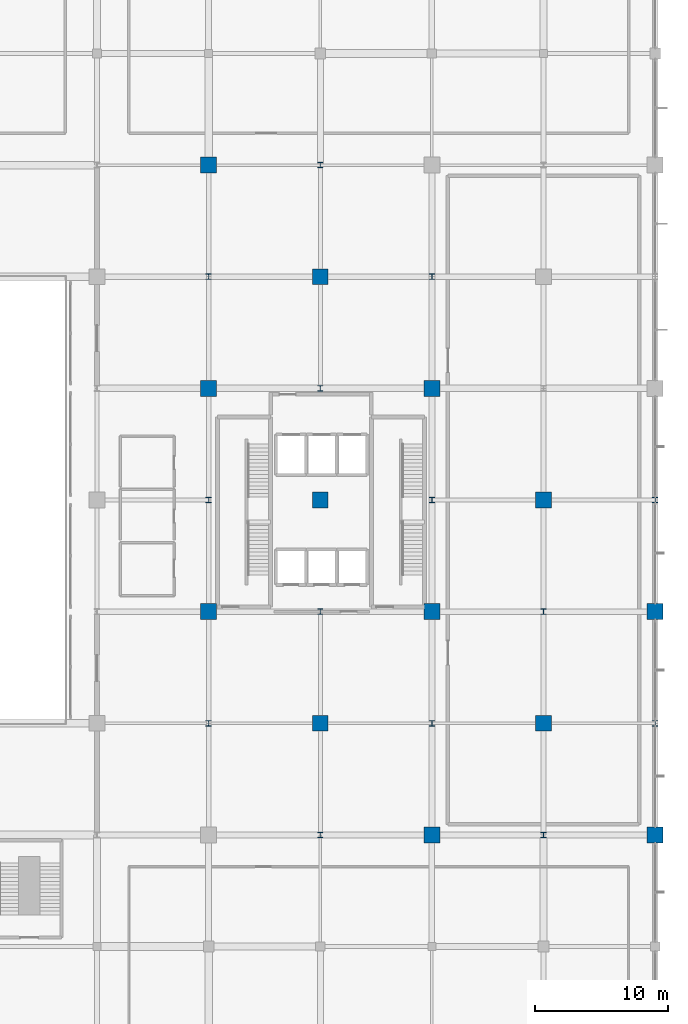
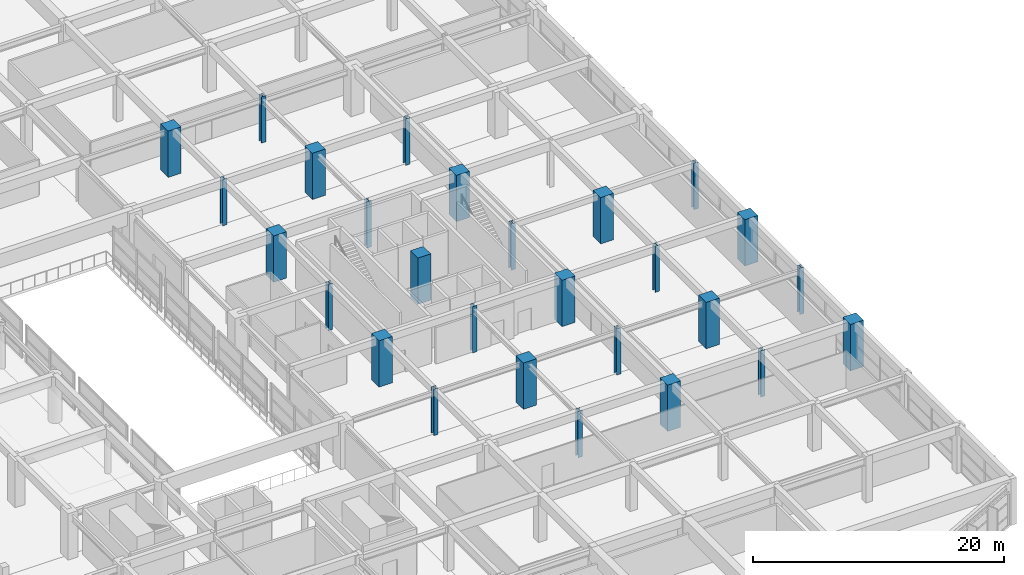
# One storey, part 6 of 65: 27 columns.
"""IFC4 building model written with IfcOpenShell, lengths in metres."""

from ifc_helpers import new_model, si_unit, direction, frame, origin, origin_2d, place, context, subcontext, project, spatial, rectangle, i_section, extrude, material, material_profile, profile_set, type_object, element, save


model = new_model("IFC4")

# Units and contexts
model_context = context("Model", 3, precision=1e-05, world=origin(), true_north=direction((0.0, 1.0)))
body_context = subcontext(model_context, "Body", "Model", "MODEL_VIEW")
ifc_project = project(units=[si_unit("LENGTHUNIT", "METRE"), si_unit("AREAUNIT", "SQUARE_METRE"), si_unit("VOLUMEUNIT", "CUBIC_METRE"), si_unit("PLANEANGLEUNIT", "RADIAN"), si_unit("MASSUNIT", "GRAM", prefix="KILO")], contexts=[model_context])

# Site, building, storey
site_placement = place(None, origin())
site = spatial("IfcSite", under=ifc_project, at=site_placement, CompositionType="ELEMENT")
building_placement = place(site_placement, origin())
building = spatial("IfcBuilding", under=site, at=building_placement, Name="Xuanlan Plaza Opera House", CompositionType="ELEMENT")
storey_placement = place(building_placement, frame((0.0, 0.0, 5.39990234375)))
storey = spatial("IfcBuildingStorey", under=building, at=storey_placement, Name="L01", CompositionType="ELEMENT", Elevation=5.39990234375)

# Columns
ifc_material_1 = material(Name="Concrete C60", Category="concrete")
ifc_material_profile_1 = material_profile(ifc_material_1, rectangle(XDim=1.199951171875, YDim=1.199951171875, at=origin_2d()), Name="RC-COL 1200x1200")
ifc_profile_set_1 = profile_set([ifc_material_profile_1], Name="Concrete C60")
column_type_1 = type_object("IfcColumnType", Name="STR-COL-C-02", PredefinedType="COLUMN", material=ifc_profile_set_1)
for number, where, z_axis, x_axis, name in (
    (1, (134.39990234375, 50.39990234375, 0.0), (0.0, 0.0, 1.0), (1.0, 0.0, 0.0), "Column L01 17-G"),
    (2, (134.39990234375, 67.199951171875, 0.0), (0.0, 0.0, 1.0), (1.0, 0.0, 0.0), "Column L01 17-I"),
    (3, (134.39990234375, 84.0, 0.0), (0.0, 0.0, 1.0), (1.0, 0.0, 0.0), "Column L01 17-K"),
    (4, (142.800048828125, 42.0, 0.0), (0.0, 0.0, 1.0), (1.0, 0.0, 0.0), "Column L01 18-F"),
    (5, (142.800048828125, 58.800048828125, 0.0), (0.0, 0.0, 1.0), (1.0, 0.0, 0.0), "Column L01 18-H"),
    (6, (142.800048828125, 75.60009765625, 0.0), (0.0, 0.0, 1.0), (1.0, 0.0, 0.0), "Column L01 18-J"),
    (7, (151.199951171875, 33.60009765625, 0.0), (0.0, 0.0, 1.0), (1.0, 0.0, 0.0), "Column L01 19-E"),
    (8, (151.199951171875, 50.39990234375, 0.0), (0.0, 0.0, 1.0), (1.0, 0.0, 0.0), "Column L01 19-G"),
    (9, (151.199951171875, 67.199951171875, 0.0), (0.0, 0.0, 1.0), (1.0, 0.0, 0.0), "Column L01 19-I"),
    (10, (159.60009765625, 42.0, 0.0), (0.0, 0.0, 1.0), (1.0, 0.0, 0.0), "Column L01 20-F"),
    (11, (159.60009765625, 58.800048828125, 0.0), (0.0, 0.0, 1.0), (1.0, 0.0, 0.0), "Column L01 20-H"),
    (12, (168.0, 33.60009765625, 0.0), (0.0, 0.0, 1.0), (1.0, 0.0, 0.0), "Column L01 21-E"),
    (13, (168.0, 50.39990234375, 0.0), (0.0, 0.0, 1.0), (1.0, 0.0, 0.0), "Column L01 21-G"),
):
    element("IfcColumn", number, at=place(storey_placement, frame(where, z_axis=z_axis, x_axis=x_axis)), inside=storey, type_object=column_type_1, Name=name, PredefinedType="COLUMN", context=body_context, shape_type="SweptSolid", body=[
        extrude(rectangle(XDim=1.199951171875, YDim=1.199951171875, at=origin_2d()), origin(), (0.0, 0.0, 1.0), 4.5),
    ])
ifc_material_2 = material(Name="Steel Q390B", Category="steel")
ifc_material_profile_2 = material_profile(ifc_material_2, i_section(OverallWidth=0.405029296875, OverallDepth=0.4140625, WebThickness=0.01806640625, FlangeThickness=0.028076171875, FilletRadius=0.02197265625, at=origin_2d()), Name="HW 414x405x18x28")
ifc_profile_set_2 = profile_set([ifc_material_profile_2], Name="Steel Q390B")
column_type_2 = type_object("IfcColumnType", Name="STR-COL-C-13", PredefinedType="COLUMN", material=ifc_profile_set_2)
for number, where, z_axis, x_axis, name in (
    (14, (134.39990234375, 42.0, 0.0), (0.0, 0.0, 1.0), (1.0, 0.0, 0.0), "Column L01 17-F"),
    (15, (134.39990234375, 58.800048828125, 0.0), (0.0, 0.0, 1.0), (1.0, 0.0, 0.0), "Column L01 17-H"),
    (16, (134.39990234375, 75.60009765625, 0.0), (0.0, 0.0, 1.0), (1.0, 0.0, 0.0), "Column L01 17-J"),
    (17, (142.800048828125, 33.60009765625, 0.0), (0.0, 0.0, 1.0), (1.0, 0.0, 0.0), "Column L01 18-E"),
    (18, (142.800048828125, 50.39990234375, 0.0), (0.0, 0.0, 1.0), (1.0, 0.0, 0.0), "Column L01 18-G"),
    (19, (142.800048828125, 67.199951171875, 0.0), (0.0, 0.0, 1.0), (1.0, 0.0, 0.0), "Column L01 18-I"),
    (20, (142.800048828125, 84.0, 0.0), (0.0, 0.0, 1.0), (1.0, 0.0, 0.0), "Column L01 18-K"),
    (21, (151.199951171875, 42.0, 0.0), (0.0, 0.0, 1.0), (1.0, 0.0, 0.0), "Column L01 19-F"),
    (22, (151.199951171875, 58.800048828125, 0.0), (0.0, 0.0, 1.0), (1.0, 0.0, 0.0), "Column L01 19-H"),
    (23, (151.199951171875, 75.60009765625, 0.0), (0.0, 0.0, 1.0), (1.0, 0.0, 0.0), "Column L01 19-J"),
    (24, (159.60009765625, 33.60009765625, 0.0), (0.0, 0.0, 1.0), (1.0, 0.0, 0.0), "Column L01 20-E"),
    (25, (159.60009765625, 50.39990234375, 0.0), (0.0, 0.0, 1.0), (1.0, 0.0, 0.0), "Column L01 20-G"),
    (26, (168.0, 42.0, 0.0), (0.0, 0.0, 1.0), (1.0, 0.0, 0.0), "Column L01 21-F"),
    (27, (168.0, 58.800048828125, 0.0), (0.0, 0.0, 1.0), (1.0, 0.0, 0.0), "Column L01 21-H"),
):
    element("IfcColumn", number, at=place(storey_placement, frame(where, z_axis=z_axis, x_axis=x_axis)), inside=storey, type_object=column_type_2, Name=name, PredefinedType="COLUMN", context=body_context, shape_type="SweptSolid", body=[
        extrude(i_section(OverallWidth=0.405029296875, OverallDepth=0.4140625, WebThickness=0.01806640625, FlangeThickness=0.028076171875, FilletRadius=0.02197265625, at=origin_2d()), origin(), (0.0, 0.0, 1.0), 4.5),
    ])

save(model, "model.ifc")
